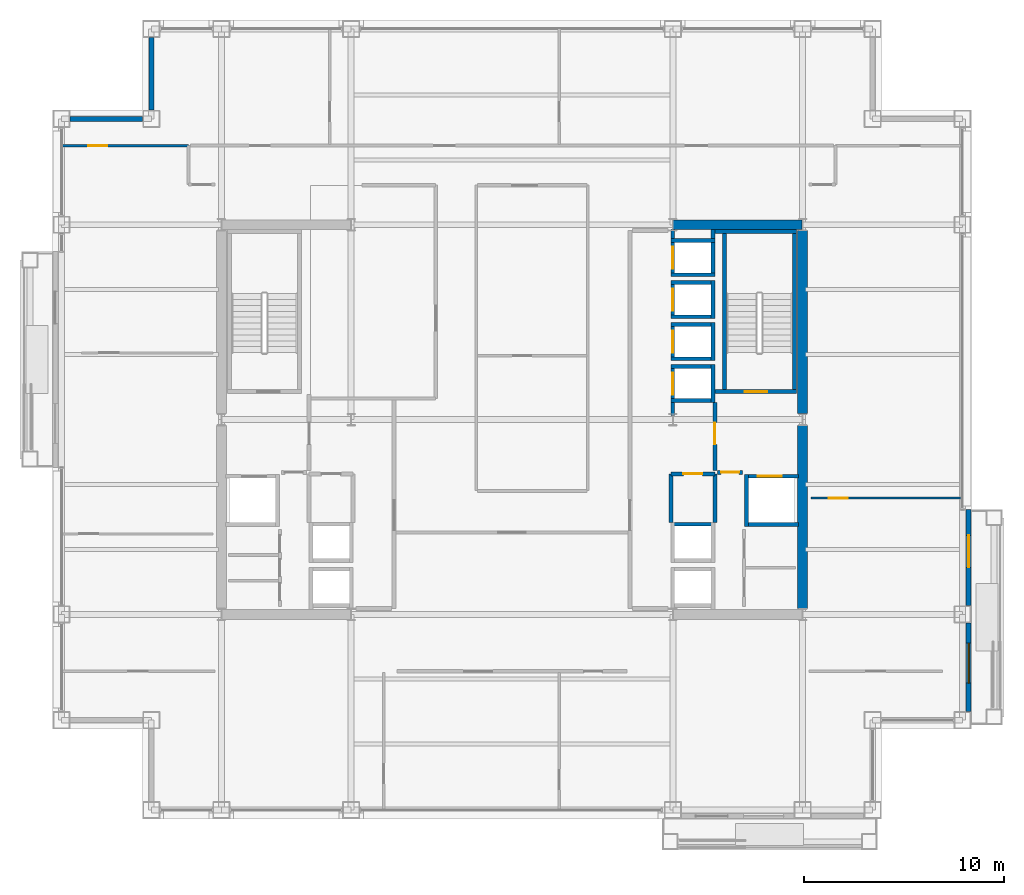
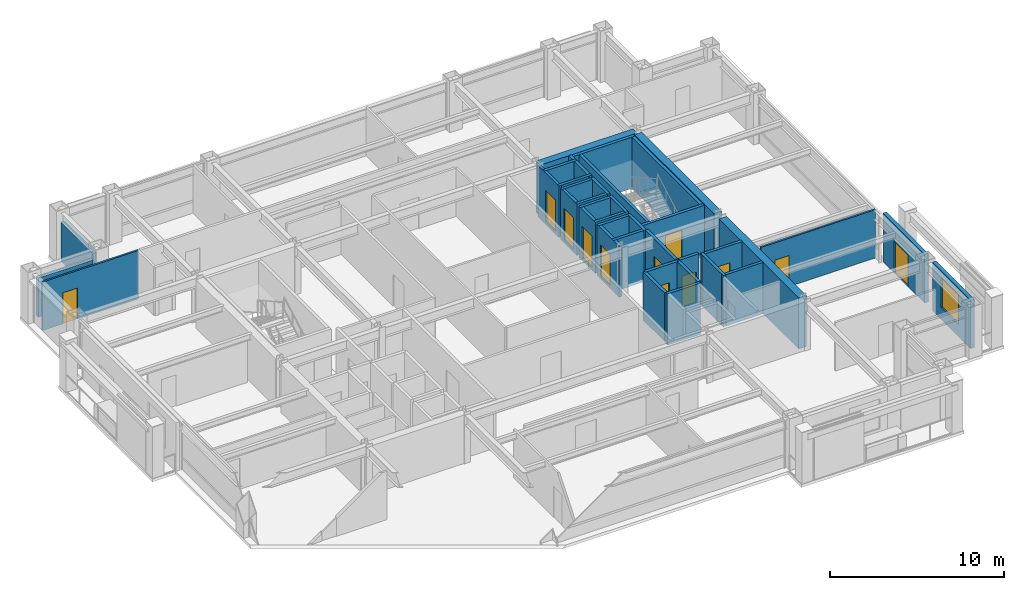
# One storey, part 27 of 31: 38 walls, 12 doors, 1 window, 13 openings.
"""IFC4 building model written with IfcOpenShell, lengths in metres."""

from ifc_helpers import new_model, si_unit, direction, frame, frame_2d, origin, place, context, subcontext, project, spatial, rectangle, extrude, material, layer, layer_set, type_object, element, fill, save


model = new_model("IFC4")

# Units and contexts
model_context = context("Model", 3, precision=1e-05, world=origin(), true_north=direction((0.0, 1.0)))
body_context = subcontext(model_context, "Body", "Model", "MODEL_VIEW")
ifc_project = project(units=[si_unit("LENGTHUNIT", "METRE"), si_unit("AREAUNIT", "SQUARE_METRE"), si_unit("VOLUMEUNIT", "CUBIC_METRE"), si_unit("PLANEANGLEUNIT", "RADIAN"), si_unit("MASSUNIT", "GRAM", prefix="KILO")], contexts=[model_context])

# Site, building, storey
site_placement = place(None, origin())
site = spatial("IfcSite", under=ifc_project, at=site_placement, CompositionType="ELEMENT")
building_placement = place(site_placement, origin())
building = spatial("IfcBuilding", under=site, at=building_placement, Name="Brelmoor Portico Tower", CompositionType="ELEMENT")
storey_placement = place(building_placement, frame((0.0, 0.0, 113.39990234375)))
storey = spatial("IfcBuildingStorey", under=building, at=storey_placement, Name="L29", CompositionType="ELEMENT", Elevation=113.39990234375)

# Walls
ifc_material_1 = material(Name="Concrete C60", Category="concrete")
ifc_layer_1 = layer(ifc_material_1, 0.5)
ifc_layer_set_1 = layer_set([ifc_layer_1], Name="Concrete C60")
wall_type_1 = type_object("IfcWallType", Name="WL-CORE-500", PredefinedType="SHEAR", material=ifc_layer_set_1)
wall_1_placement = place(storey_placement, frame((8.070068359375, 9.75, -0.199951171875), z_axis=(0.0, 0.0, 1.0), x_axis=(1.0, 0.0, 0.0)))
element("IfcWall", 1, at=wall_1_placement, inside=storey, type_object=wall_type_1, Name="L29 EC North Shear Wall", PredefinedType="SHEAR", context=body_context, shape_type="SweptSolid", body=[
    extrude(rectangle(XDim=6.4599609375, YDim=0.5, at=frame_2d((3.22998046875, 0.0))), origin(), (0.0, 0.0, 1.0), 3.60009765625),
])
for number, where, z_axis, x_axis, name in (
    (2, (14.550048828125, -9.449951171875, -0.199951171875), (0.0, 0.0, 1.0), (0.0, 1.0, 0.0), "L29 EC Outer South Shear Wall"),
    (3, (14.550048828125, 0.300048828125, -0.199951171875), (0.0, 0.0, 1.0), (0.0, 1.0, 0.0), "L29 EC Outer North Shear Wall"),
):
    element("IfcWall", number, at=place(storey_placement, frame(where, z_axis=z_axis, x_axis=x_axis)), inside=storey, type_object=wall_type_1, Name=name, PredefinedType="SHEAR", context=body_context, shape_type="SweptSolid", body=[
        extrude(rectangle(XDim=9.14990234375, YDim=0.5, at=frame_2d((4.574951171875, 0.0))), origin(), (0.0, 0.0, 1.0), 3.60009765625),
    ])

# Wall, opening, window
ifc_material_2 = material(Name="Precast Concrete C40 Insulated Facade Wall", Category="concrete")
ifc_layer_2 = layer(ifc_material_2, 0.25)
ifc_layer_set_2 = layer_set([ifc_layer_2], Name="Precast Concrete C40 Insulated Facade Wall")
wall_type_2 = type_object("IfcWallType", Name="WL-EXT-250", PredefinedType="STANDARD", material=ifc_layer_set_2)
wall_2_placement = place(storey_placement, frame((22.860107421875, -14.60498046875, 0.0), z_axis=(0.0, 0.0, 1.0), x_axis=(0.0, 1.0, 0.0)))
wall_2 = element("IfcWall", 4, at=wall_2_placement, inside=storey, type_object=wall_type_2, Name="L29 Loggia Threshold Wall E-1", PredefinedType="STANDARD", context=body_context, shape_type="SweptSolid", body=[
    extrude(rectangle(XDim=4.409912109375, YDim=0.25, at=frame_2d((2.205078125, 0.0))), origin(), (0.0, 0.0, 1.0), 3.400146484375),
])
opening_1_placement = place(wall_2_placement, frame((1.405029296875, 0.0, 0.85009765625)))
opening_1 = element("IfcOpeningElement", 5, at=opening_1_placement, cuts=wall_2, Name="Opening W-03", PredefinedType="OPENING", context=body_context, shape_type="SweptSolid", body=[
    extrude(rectangle(XDim=2.0, YDim=2.10009765625, at=frame_2d((1.0, 1.050048828125))), frame((0.0, 0.135009765625, 0.0), z_axis=(0.0, -1.0, 0.0), x_axis=(1.0, 0.0, 0.0)), (0.0, 0.0, 1.0), 0.27001953125),
])
ifc_material_3 = material(Name="Thermally Broken Aluminium Low-E Window", Category="aluminium")
window_type = type_object("IfcWindowType", Name="WN-LOGGIA-2000x2100", PartitioningType="SINGLE_PANEL", PredefinedType="WINDOW", material=ifc_material_3)
window_placement = place(opening_1_placement, origin())
window = element("IfcWindow", 6, at=window_placement, inside=storey, type_object=window_type, Name="L29 Loggia Window E", OverallHeight=2.10009765625, OverallWidth=2.0, PartitioningType="SINGLE_PANEL", PredefinedType="WINDOW", context=body_context, shape_type="SweptSolid", body=[
    extrude(rectangle(XDim=2.0, YDim=2.10009765625, at=frame_2d((1.0, 1.050048828125))), frame((0.0, 0.030029296875, 0.0), z_axis=(0.0, -1.0, 0.0), x_axis=(1.0, 0.0, 0.0)), (0.0, 0.0, 1.0), 0.06005859375),
])
fill(opening_1, window)

# Wall, opening, door
wall_3_placement = place(storey_placement, frame((22.860107421875, -9.304931640625, 0.0), z_axis=(0.0, 0.0, 1.0), x_axis=(0.0, 1.0, 0.0)))
wall_3 = element("IfcWall", 7, at=wall_3_placement, inside=storey, type_object=wall_type_2, Name="L29 Loggia Threshold Wall E-2", PredefinedType="STANDARD", context=body_context, shape_type="SweptSolid", body=[
    extrude(rectangle(XDim=4.804931640625, YDim=0.25, at=frame_2d((2.40234375, 0.0))), origin(), (0.0, 0.0, 1.0), 3.400146484375),
])
opening_2_placement = place(wall_3_placement, frame((1.905029296875, 0.0, 0.0)))
opening_2 = element("IfcOpeningElement", 8, at=opening_2_placement, cuts=wall_3, Name="Opening D-TB1", PredefinedType="OPENING", context=body_context, shape_type="SweptSolid", body=[
    extrude(rectangle(XDim=1.60009765625, YDim=2.199951171875, at=frame_2d((0.800048828125, 1.10009765625))), frame((0.0, 0.135009765625, 0.0), z_axis=(0.0, -1.0, 0.0), x_axis=(1.0, 0.0, 0.0)), (0.0, 0.0, 1.0), 0.27001953125),
])
ifc_material_4 = material(Name="Double-Leaf Thermally Broken Terrace Door", Category="aluminium")
door_type_1 = type_object("IfcDoorType", Name="DR-BALCONY-1600", OperationType="NOTDEFINED", PredefinedType="DOOR", material=ifc_material_4)
door_1_placement = place(opening_2_placement, origin())
door_1 = element("IfcDoor", 9, at=door_1_placement, inside=storey, type_object=door_type_1, Name="D-1296 L29 Tree Balcony Double Door E", OperationType="DOUBLE_DOOR_SINGLE_SWING", OverallHeight=2.199951171875, OverallWidth=1.60009765625, PredefinedType="DOOR", context=body_context, shape_type="SweptSolid", body=[
    extrude(rectangle(XDim=1.60009765625, YDim=2.199951171875, at=frame_2d((0.800048828125, 1.10009765625))), frame((0.0, 0.02490234375, 0.0), z_axis=(0.0, -1.0, 0.0), x_axis=(1.0, 0.0, 0.0)), (0.0, 0.0, 1.0), 0.050048828125),
])
fill(opening_2, door_1)

# Walls
for number, where, z_axis, x_axis, name in (
    (10, (-22.114990234375, 15.050048828125, 0.0), (0.0, 0.0, 1.0), (1.0, 0.0, 0.0), "L29 Corner Notch Facade Wall NNWH1"),
    (11, (-18.050048828125, 15.485107421875, 0.0), (0.0, 0.0, 1.0), (0.0, 1.0, 0.0), "L29 Corner Notch Facade Wall NNWV1"),
):
    element("IfcWall", number, at=place(storey_placement, frame(where, z_axis=z_axis, x_axis=x_axis)), inside=storey, type_object=wall_type_2, Name=name, PredefinedType="STANDARD", context=body_context, shape_type="SweptSolid", body=[
        extrude(rectangle(XDim=3.6298828125, YDim=0.25, at=frame_2d((1.81494140625, 0.0))), origin(), (0.0, 0.0, 1.0), 2.75),
    ])

# Wall, opening, door
ifc_material_5 = material(Name="Lightweight Gypsum Office Partition", Category="gypsum")
ifc_layer_3 = layer(ifc_material_5, 0.1201171875)
ifc_layer_set_3 = layer_set([ifc_layer_3], Name="Lightweight Gypsum Office Partition")
wall_type_3 = type_object("IfcWallType", Name="WL-PART-120", PredefinedType="PARTITIONING", material=ifc_layer_set_3)
wall_4_placement = place(storey_placement, frame((-22.56005859375, 13.7099609375, 0.0), z_axis=(0.0, 0.0, 1.0), x_axis=(1.0, 0.0, 0.0)))
wall_4 = element("IfcWall", 12, at=wall_4_placement, inside=storey, type_object=wall_type_3, Name="L29 North Wing Closure WL", PredefinedType="PARTITIONING", context=body_context, shape_type="SweptSolid", body=[
    extrude(rectangle(XDim=6.360107421875, YDim=0.1201171875, at=frame_2d((3.18017578125, 0.0))), origin(), (0.0, 0.0, 1.0), 3.400146484375),
])
opening_3_placement = place(wall_4_placement, frame((1.340087890625, 0.0, 0.0)))
opening_3 = element("IfcOpeningElement", 13, at=opening_3_placement, cuts=wall_4, Name="Opening D-IN2", PredefinedType="OPENING", context=body_context, shape_type="SweptSolid", body=[
    extrude(rectangle(XDim=0.9599609375, YDim=2.179931640625, at=frame_2d((0.47998046875, 1.08984375))), frame((0.0, 0.070068359375, 0.0), z_axis=(0.0, -1.0, 0.0), x_axis=(1.0, 0.0, 0.0)), (0.0, 0.0, 1.0), 0.14013671875),
])
ifc_material_6 = material(Name="Lacquered Timber Suite Door", Category="wood")
door_type_2 = type_object("IfcDoorType", Name="DR-INT-950", OperationType="NOTDEFINED", PredefinedType="DOOR", material=ifc_material_6)
door_2_placement = place(opening_3_placement, origin())
door_2 = element("IfcDoor", 14, at=door_2_placement, inside=storey, type_object=door_type_2, Name="D-1286 L29 WL Wing North Suite Door", OperationType="SINGLE_SWING_LEFT", OverallHeight=2.179931640625, OverallWidth=0.9599609375, PredefinedType="DOOR", context=body_context, shape_type="SweptSolid", body=[
    extrude(rectangle(XDim=0.9599609375, YDim=2.179931640625, at=frame_2d((0.47998046875, 1.08984375))), frame((0.0, 0.02490234375, 0.0), z_axis=(0.0, -1.0, 0.0), x_axis=(1.0, 0.0, 0.0)), (0.0, 0.0, 1.0), 0.050048828125),
])
fill(opening_3, door_2)

wall_5_placement = place(storey_placement, frame((14.9599609375, -3.929931640625, 0.0), z_axis=(0.0, 0.0, 1.0), x_axis=(1.0, 0.0, 0.0)))
wall_5 = element("IfcWall", 15, at=wall_5_placement, inside=storey, type_object=wall_type_3, Name="L29 E Wing Partition 1", PredefinedType="PARTITIONING", context=body_context, shape_type="SweptSolid", body=[
    extrude(rectangle(XDim=7.60009765625, YDim=0.1201171875, at=frame_2d((3.800048828125, 0.0))), origin(), (0.0, 0.0, 1.0), 3.400146484375),
])
opening_4_placement = place(wall_5_placement, frame((0.89990234375, 0.0, 0.0)))
opening_4 = element("IfcOpeningElement", 16, at=opening_4_placement, cuts=wall_5, Name="Opening D-IN2", PredefinedType="OPENING", context=body_context, shape_type="SweptSolid", body=[
    extrude(rectangle(XDim=0.9599609375, YDim=2.179931640625, at=frame_2d((0.47998046875, 1.08984375))), frame((0.0, 0.070068359375, 0.0), z_axis=(0.0, -1.0, 0.0), x_axis=(1.0, 0.0, 0.0)), (0.0, 0.0, 1.0), 0.14013671875),
])
door_3_placement = place(opening_4_placement, origin())
door_3 = element("IfcDoor", 17, at=door_3_placement, inside=storey, type_object=door_type_2, Name="D-1299 L29 E Wing Suite Connecting Door 1", OperationType="SINGLE_SWING_RIGHT", OverallHeight=2.179931640625, OverallWidth=0.9599609375, PredefinedType="DOOR", context=body_context, shape_type="SweptSolid", body=[
    extrude(rectangle(XDim=0.9599609375, YDim=2.179931640625, at=frame_2d((0.47998046875, 1.08984375))), frame((0.0, 0.02490234375, 0.0), z_axis=(0.0, -1.0, 0.0), x_axis=(1.0, 0.0, 0.0)), (0.0, 0.0, 1.0), 0.050048828125),
])
fill(opening_4, door_3)

ifc_material_7 = material(Name="Double-Stud Gypsum Fire Partition", Category="gypsum")
ifc_layer_4 = layer(ifc_material_7, 0.199951171875)
ifc_layer_set_4 = layer_set([ifc_layer_4], Name="Double-Stud Gypsum Fire Partition")
wall_type_4 = type_object("IfcWallType", Name="WL-PART-200", PredefinedType="PARTITIONING", material=ifc_layer_set_4)
wall_6_placement = place(storey_placement, frame((10.159912109375, -2.550048828125, 0.0), z_axis=(0.0, 0.0, 1.0), x_axis=(0.0, 1.0, 0.0)))
wall_6 = element("IfcWall", 18, at=wall_6_placement, inside=storey, type_object=wall_type_4, Name="L29 E Firefighting Lobby Wall", PredefinedType="PARTITIONING", context=body_context, shape_type="SweptSolid", body=[
    extrude(rectangle(XDim=3.400146484375, YDim=0.199951171875, at=frame_2d((1.7001953125, 0.0))), origin(), (0.0, 0.0, 1.0), 3.400146484375),
])
opening_5_placement = place(wall_6_placement, frame((1.300048828125, 0.0, 0.0)))
opening_5 = element("IfcOpeningElement", 19, at=opening_5_placement, cuts=wall_6, Name="Opening D-FR1", PredefinedType="OPENING", context=body_context, shape_type="SweptSolid", body=[
    extrude(rectangle(XDim=1.10009765625, YDim=2.14990234375, at=frame_2d((0.550048828125, 1.074951171875))), frame((0.0, 0.10986328125, 0.0), z_axis=(0.0, -1.0, 0.0), x_axis=(1.0, 0.0, 0.0)), (0.0, 0.0, 1.0), 0.219970703125),
])
ifc_material_8 = material(Name="Painted Galvanised Steel Fire Door", Category="steel")
door_type_3 = type_object("IfcDoorType", Name="DR-FIRE-1100", OperationType="NOTDEFINED", PredefinedType="DOOR", material=ifc_material_8)
door_4_placement = place(opening_5_placement, origin())
door_4 = element("IfcDoor", 20, at=door_4_placement, inside=storey, type_object=door_type_3, Name="D-1276 L29 E Firefighting Lobby Door", OperationType="SINGLE_SWING_RIGHT", OverallHeight=2.14990234375, OverallWidth=1.10009765625, PredefinedType="DOOR", context=body_context, shape_type="SweptSolid", body=[
    extrude(rectangle(XDim=1.10009765625, YDim=2.14990234375, at=frame_2d((0.550048828125, 1.074951171875))), frame((0.0, 0.02490234375, 0.0), z_axis=(0.0, -1.0, 0.0), x_axis=(1.0, 0.0, 0.0)), (0.0, 0.0, 1.0), 0.050048828125),
])
fill(opening_5, door_4)

wall_7_placement = place(storey_placement, frame((10.280029296875, -2.64990234375, 0.0), z_axis=(0.0, 0.0, 1.0), x_axis=(1.0, 0.0, 0.0)))
wall_7 = element("IfcWall", 21, at=wall_7_placement, inside=storey, type_object=wall_type_4, Name="L29 E Firefighting Lobby South Wall", PredefinedType="PARTITIONING", context=body_context, shape_type="SweptSolid", body=[
    extrude(rectangle(XDim=1.27001953125, YDim=0.199951171875, at=frame_2d((0.635009765625, 0.0))), origin(), (0.0, 0.0, 1.0), 3.400146484375),
])
opening_6_placement = place(wall_7_placement, frame((0.18505859375, 0.0, 0.0)))
opening_6 = element("IfcOpeningElement", 22, at=opening_6_placement, cuts=wall_7, Name="Opening D-IN1", PredefinedType="OPENING", context=body_context, shape_type="SweptSolid", body=[
    extrude(rectangle(XDim=0.89990234375, YDim=2.14990234375, at=frame_2d((0.449951171875, 1.074951171875))), frame((0.0, 0.10986328125, 0.0), z_axis=(0.0, -1.0, 0.0), x_axis=(1.0, 0.0, 0.0)), (0.0, 0.0, 1.0), 0.219970703125),
])
door_type_4 = type_object("IfcDoorType", Name="DR-INT-900", OperationType="NOTDEFINED", PredefinedType="DOOR", material=ifc_material_6)
door_5_placement = place(opening_6_placement, origin())
door_5 = element("IfcDoor", 23, at=door_5_placement, inside=storey, type_object=door_type_4, Name="D-1269 L29 E Core Service Vestibule Door", OperationType="SINGLE_SWING_LEFT", OverallHeight=2.14990234375, OverallWidth=0.89990234375, PredefinedType="DOOR", context=body_context, shape_type="SweptSolid", body=[
    extrude(rectangle(XDim=0.89990234375, YDim=2.14990234375, at=frame_2d((0.449951171875, 1.074951171875))), frame((0.0, 0.02490234375, 0.0), z_axis=(0.0, -1.0, 0.0), x_axis=(1.0, 0.0, 0.0)), (0.0, 0.0, 1.0), 0.050048828125),
])
fill(opening_6, door_5)

wall_8_placement = place(storey_placement, frame((7.9599609375, -2.719970703125, 0.0), z_axis=(0.0, 0.0, 1.0), x_axis=(1.0, 0.0, 0.0)))
wall_8 = element("IfcWall", 24, at=wall_8_placement, inside=storey, type_object=wall_type_4, Name="L29 E Electrical Switchgear Closet Wall", PredefinedType="PARTITIONING", context=body_context, shape_type="SweptSolid", body=[
    extrude(rectangle(XDim=2.199951171875, YDim=0.199951171875, at=frame_2d((1.10009765625, 0.0))), origin(), (0.0, 0.0, 1.0), 3.400146484375),
])
opening_7_placement = place(wall_8_placement, frame((0.6201171875, 0.0, 0.0)))
opening_7 = element("IfcOpeningElement", 25, at=opening_7_placement, cuts=wall_8, Name="Opening D-FR4", PredefinedType="OPENING", context=body_context, shape_type="SweptSolid", body=[
    extrude(rectangle(XDim=0.949951171875, YDim=2.10009765625, at=frame_2d((0.47509765625, 1.050048828125))), frame((0.0, 0.10986328125, 0.0), z_axis=(0.0, -1.0, 0.0), x_axis=(1.0, 0.0, 0.0)), (0.0, 0.0, 1.0), 0.219970703125),
])
ifc_material_9 = material(Name="Painted Galvanised Steel Riser Door", Category="steel")
door_type_5 = type_object("IfcDoorType", Name="DR-FIRE-950", OperationType="NOTDEFINED", PredefinedType="DOOR", material=ifc_material_9)
door_6_placement = place(opening_7_placement, origin())
door_6 = element("IfcDoor", 26, at=door_6_placement, inside=storey, type_object=door_type_5, Name="D-1274 L29 E Electrical Switchgear Closet Door", OperationType="SINGLE_SWING_RIGHT", OverallHeight=2.10009765625, OverallWidth=0.949951171875, PredefinedType="DOOR", context=body_context, shape_type="SweptSolid", body=[
    extrude(rectangle(XDim=0.949951171875, YDim=2.10009765625, at=frame_2d((0.47509765625, 1.050048828125))), frame((0.0, 0.02490234375, 0.0), z_axis=(0.0, -1.0, 0.0), x_axis=(1.0, 0.0, 0.0)), (0.0, 0.0, 1.0), 0.050048828125),
])
fill(opening_7, door_6)

# Walls
for number, where, z_axis, x_axis, name in (
    (27, (7.9599609375, -5.159912109375, 0.0), (0.0, 0.0, 1.0), (0.0, 1.0, 0.0), "L29 E Electrical Switchgear Closet Inner Wall"),
    (28, (10.159912109375, -5.159912109375, 0.0), (0.0, 0.0, 1.0), (0.0, 1.0, 0.0), "L29 E Electrical Switchgear Closet Outer Wall"),
):
    element("IfcWall", number, at=place(storey_placement, frame(where, z_axis=z_axis, x_axis=x_axis)), inside=storey, type_object=wall_type_4, Name=name, PredefinedType="PARTITIONING", context=body_context, shape_type="SweptSolid", body=[
        extrude(rectangle(XDim=2.43994140625, YDim=0.199951171875, at=frame_2d((1.219970703125, 0.0))), origin(), (0.0, 0.0, 1.0), 3.400146484375),
    ])

# Wall, opening, door
ifc_material_10 = material(Name="Precast Concrete C40", Category="concrete")
ifc_layer_5 = layer(ifc_material_10, 0.18994140625)
ifc_layer_set_5 = layer_set([ifc_layer_5], Name="Precast Concrete C40")
wall_type_5 = type_object("IfcWallType", Name="WL-SHAFT-180", PredefinedType="SOLIDWALL", material=ifc_layer_set_5)
wall_9_placement = place(storey_placement, frame((8.044921875, 0.2099609375, -0.199951171875), z_axis=(0.0, 0.0, 1.0), x_axis=(0.0, 1.0, 0.0)))
wall_9 = element("IfcWall", 29, at=wall_9_placement, inside=storey, type_object=wall_type_5, Name="L29 Lift PM1 Hoistway Front Wall", PredefinedType="SOLIDWALL", context=body_context, shape_type="SweptSolid", body=[
    extrude(rectangle(XDim=2.5400390625, YDim=0.18994140625, at=frame_2d((1.27001953125, 0.0))), origin(), (0.0, 0.0, 1.0), 3.60009765625),
])
opening_8_placement = place(wall_9_placement, frame((1.0400390625, 0.0, 0.199951171875)))
opening_8 = element("IfcOpeningElement", 30, at=opening_8_placement, cuts=wall_9, Name="Opening LD-01", PredefinedType="OPENING", context=body_context, shape_type="SweptSolid", body=[
    extrude(rectangle(XDim=1.10009765625, YDim=2.199951171875, at=frame_2d((0.550048828125, 1.10009765625))), frame((0.0, 0.10498046875, 0.0), z_axis=(0.0, -1.0, 0.0), x_axis=(1.0, 0.0, 0.0)), (0.0, 0.0, 1.0), 0.2099609375),
])
ifc_material_11 = material(Name="Brushed Stainless Steel Sliding Lift Door", Category="steel")
door_type_6 = type_object("IfcDoorType", Name="DR-LIFT-1100", OperationType="NOTDEFINED", PredefinedType="DOOR", material=ifc_material_11)
door_7_placement = place(opening_8_placement, origin())
door_7 = element("IfcDoor", 31, at=door_7_placement, inside=storey, type_object=door_type_6, Name="D-1306 L29 Lift PM1 Sliding Landing Door", OperationType="SLIDING_TO_LEFT", OverallHeight=2.199951171875, OverallWidth=1.10009765625, PredefinedType="DOOR", context=body_context, shape_type="SweptSolid", body=[
    extrude(rectangle(XDim=1.10009765625, YDim=2.199951171875, at=frame_2d((0.550048828125, 1.10009765625))), frame((0.0, 0.02490234375, 0.0), z_axis=(0.0, -1.0, 0.0), x_axis=(1.0, 0.0, 0.0)), (0.0, 0.0, 1.0), 0.050048828125),
])
fill(opening_8, door_7)

# Walls
wall_10_placement = place(storey_placement, frame((10.054931640625, 0.85009765625, -0.199951171875), z_axis=(0.0, 0.0, 1.0), x_axis=(0.0, 1.0, 0.0)))
element("IfcWall", 32, at=wall_10_placement, inside=storey, type_object=wall_type_5, Name="L29 Lift PM1 Hoistway Back Wall", PredefinedType="SOLIDWALL", context=body_context, shape_type="SweptSolid", body=[
    extrude(rectangle(XDim=1.89990234375, YDim=0.18994140625, at=frame_2d((0.949951171875, 0.0))), origin(), (0.0, 0.0, 1.0), 3.60009765625),
])
for number, where, z_axis, x_axis, name in (
    (33, (7.949951171875, 2.655029296875, -0.199951171875), (0.0, 0.0, 1.0), (1.0, 0.0, 0.0), "L29 Lift PM1 Hoistway North Wall"),
    (34, (7.949951171875, 0.945068359375, -0.199951171875), (0.0, 0.0, 1.0), (1.0, 0.0, 0.0), "L29 Lift PM1 Hoistway South Wall"),
):
    element("IfcWall", number, at=place(storey_placement, frame(where, z_axis=z_axis, x_axis=x_axis)), inside=storey, type_object=wall_type_5, Name=name, PredefinedType="SOLIDWALL", context=body_context, shape_type="SweptSolid", body=[
        extrude(rectangle(XDim=2.199951171875, YDim=0.18994140625, at=frame_2d((1.10009765625, 0.0))), origin(), (0.0, 0.0, 1.0), 3.60009765625),
    ])

# Wall, opening, door
wall_11_placement = place(storey_placement, frame((8.044921875, 2.949951171875, -0.199951171875), z_axis=(0.0, 0.0, 1.0), x_axis=(0.0, 1.0, 0.0)))
wall_11 = element("IfcWall", 35, at=wall_11_placement, inside=storey, type_object=wall_type_5, Name="L29 Lift PM2 Hoistway Front Wall", PredefinedType="SOLIDWALL", context=body_context, shape_type="SweptSolid", body=[
    extrude(rectangle(XDim=1.900146484375, YDim=0.18994140625, at=frame_2d((0.9501953125, 0.0))), origin(), (0.0, 0.0, 1.0), 3.60009765625),
])
opening_9_placement = place(wall_11_placement, frame((0.39990234375, 0.0, 0.199951171875)))
opening_9 = element("IfcOpeningElement", 36, at=opening_9_placement, cuts=wall_11, Name="Opening LD-01", PredefinedType="OPENING", context=body_context, shape_type="SweptSolid", body=[
    extrude(rectangle(XDim=1.10009765625, YDim=2.199951171875, at=frame_2d((0.550048828125, 1.10009765625))), frame((0.0, 0.10498046875, 0.0), z_axis=(0.0, -1.0, 0.0), x_axis=(1.0, 0.0, 0.0)), (0.0, 0.0, 1.0), 0.2099609375),
])
door_8_placement = place(opening_9_placement, origin())
door_8 = element("IfcDoor", 37, at=door_8_placement, inside=storey, type_object=door_type_6, Name="D-1307 L29 Lift PM2 Sliding Landing Door", OperationType="SLIDING_TO_LEFT", OverallHeight=2.199951171875, OverallWidth=1.10009765625, PredefinedType="DOOR", context=body_context, shape_type="SweptSolid", body=[
    extrude(rectangle(XDim=1.10009765625, YDim=2.199951171875, at=frame_2d((0.550048828125, 1.10009765625))), frame((0.0, 0.02490234375, 0.0), z_axis=(0.0, -1.0, 0.0), x_axis=(1.0, 0.0, 0.0)), (0.0, 0.0, 1.0), 0.050048828125),
])
fill(opening_9, door_8)

# Walls
wall_12_placement = place(storey_placement, frame((10.054931640625, 2.949951171875, -0.199951171875), z_axis=(0.0, 0.0, 1.0), x_axis=(0.0, 1.0, 0.0)))
element("IfcWall", 38, at=wall_12_placement, inside=storey, type_object=wall_type_5, Name="L29 Lift PM2 Hoistway Back Wall", PredefinedType="SOLIDWALL", context=body_context, shape_type="SweptSolid", body=[
    extrude(rectangle(XDim=1.900146484375, YDim=0.18994140625, at=frame_2d((0.9501953125, 0.0))), origin(), (0.0, 0.0, 1.0), 3.60009765625),
])
for number, where, z_axis, x_axis, name in (
    (39, (7.949951171875, 4.7548828125, -0.199951171875), (0.0, 0.0, 1.0), (1.0, 0.0, 0.0), "L29 Lift PM2 Hoistway North Wall"),
    (40, (7.949951171875, 3.044921875, -0.199951171875), (0.0, 0.0, 1.0), (1.0, 0.0, 0.0), "L29 Lift PM2 Hoistway South Wall"),
):
    element("IfcWall", number, at=place(storey_placement, frame(where, z_axis=z_axis, x_axis=x_axis)), inside=storey, type_object=wall_type_5, Name=name, PredefinedType="SOLIDWALL", context=body_context, shape_type="SweptSolid", body=[
        extrude(rectangle(XDim=2.199951171875, YDim=0.18994140625, at=frame_2d((1.10009765625, 0.0))), origin(), (0.0, 0.0, 1.0), 3.60009765625),
    ])

# Wall, opening, door
wall_13_placement = place(storey_placement, frame((8.044921875, 5.050048828125, -0.199951171875), z_axis=(0.0, 0.0, 1.0), x_axis=(0.0, 1.0, 0.0)))
wall_13 = element("IfcWall", 41, at=wall_13_placement, inside=storey, type_object=wall_type_5, Name="L29 Lift PM3 Hoistway Front Wall", PredefinedType="SOLIDWALL", context=body_context, shape_type="SweptSolid", body=[
    extrude(rectangle(XDim=1.89990234375, YDim=0.18994140625, at=frame_2d((0.949951171875, 0.0))), origin(), (0.0, 0.0, 1.0), 3.60009765625),
])
opening_10_placement = place(wall_13_placement, frame((0.39990234375, 0.0, 0.199951171875)))
opening_10 = element("IfcOpeningElement", 42, at=opening_10_placement, cuts=wall_13, Name="Opening LD-01", PredefinedType="OPENING", context=body_context, shape_type="SweptSolid", body=[
    extrude(rectangle(XDim=1.10009765625, YDim=2.199951171875, at=frame_2d((0.550048828125, 1.10009765625))), frame((0.0, 0.10498046875, 0.0), z_axis=(0.0, -1.0, 0.0), x_axis=(1.0, 0.0, 0.0)), (0.0, 0.0, 1.0), 0.2099609375),
])
door_9_placement = place(opening_10_placement, origin())
door_9 = element("IfcDoor", 43, at=door_9_placement, inside=storey, type_object=door_type_6, Name="D-1308 L29 Lift PM3 Sliding Landing Door", OperationType="SLIDING_TO_LEFT", OverallHeight=2.199951171875, OverallWidth=1.10009765625, PredefinedType="DOOR", context=body_context, shape_type="SweptSolid", body=[
    extrude(rectangle(XDim=1.10009765625, YDim=2.199951171875, at=frame_2d((0.550048828125, 1.10009765625))), frame((0.0, 0.02490234375, 0.0), z_axis=(0.0, -1.0, 0.0), x_axis=(1.0, 0.0, 0.0)), (0.0, 0.0, 1.0), 0.050048828125),
])
fill(opening_10, door_9)

# Walls
wall_14_placement = place(storey_placement, frame((10.054931640625, 5.050048828125, -0.199951171875), z_axis=(0.0, 0.0, 1.0), x_axis=(0.0, 1.0, 0.0)))
element("IfcWall", 44, at=wall_14_placement, inside=storey, type_object=wall_type_5, Name="L29 Lift PM3 Hoistway Back Wall", PredefinedType="SOLIDWALL", context=body_context, shape_type="SweptSolid", body=[
    extrude(rectangle(XDim=1.89990234375, YDim=0.18994140625, at=frame_2d((0.949951171875, 0.0))), origin(), (0.0, 0.0, 1.0), 3.60009765625),
])
for number, where, z_axis, x_axis, name in (
    (45, (7.949951171875, 6.85498046875, -0.199951171875), (0.0, 0.0, 1.0), (1.0, 0.0, 0.0), "L29 Lift PM3 Hoistway North Wall"),
    (46, (7.949951171875, 5.14501953125, -0.199951171875), (0.0, 0.0, 1.0), (1.0, 0.0, 0.0), "L29 Lift PM3 Hoistway South Wall"),
):
    element("IfcWall", number, at=place(storey_placement, frame(where, z_axis=z_axis, x_axis=x_axis)), inside=storey, type_object=wall_type_5, Name=name, PredefinedType="SOLIDWALL", context=body_context, shape_type="SweptSolid", body=[
        extrude(rectangle(XDim=2.199951171875, YDim=0.18994140625, at=frame_2d((1.10009765625, 0.0))), origin(), (0.0, 0.0, 1.0), 3.60009765625),
    ])

# Wall, opening, door
wall_15_placement = place(storey_placement, frame((8.044921875, 7.14990234375, -0.199951171875), z_axis=(0.0, 0.0, 1.0), x_axis=(0.0, 1.0, 0.0)))
wall_15 = element("IfcWall", 47, at=wall_15_placement, inside=storey, type_object=wall_type_5, Name="L29 Lift PM4 Hoistway Front Wall", PredefinedType="SOLIDWALL", context=body_context, shape_type="SweptSolid", body=[
    extrude(rectangle(XDim=2.3701171875, YDim=0.18994140625, at=frame_2d((1.18505859375, 0.0))), origin(), (0.0, 0.0, 1.0), 3.60009765625),
])
opening_11_placement = place(wall_15_placement, frame((0.39990234375, 0.0, 0.199951171875)))
opening_11 = element("IfcOpeningElement", 48, at=opening_11_placement, cuts=wall_15, Name="Opening LD-01", PredefinedType="OPENING", context=body_context, shape_type="SweptSolid", body=[
    extrude(rectangle(XDim=1.10009765625, YDim=2.199951171875, at=frame_2d((0.550048828125, 1.10009765625))), frame((0.0, 0.10498046875, 0.0), z_axis=(0.0, -1.0, 0.0), x_axis=(1.0, 0.0, 0.0)), (0.0, 0.0, 1.0), 0.2099609375),
])
door_10_placement = place(opening_11_placement, origin())
door_10 = element("IfcDoor", 49, at=door_10_placement, inside=storey, type_object=door_type_6, Name="D-1309 L29 Lift PM4 Sliding Landing Door", OperationType="SLIDING_TO_LEFT", OverallHeight=2.199951171875, OverallWidth=1.10009765625, PredefinedType="DOOR", context=body_context, shape_type="SweptSolid", body=[
    extrude(rectangle(XDim=1.10009765625, YDim=2.199951171875, at=frame_2d((0.550048828125, 1.10009765625))), frame((0.0, 0.02490234375, 0.0), z_axis=(0.0, -1.0, 0.0), x_axis=(1.0, 0.0, 0.0)), (0.0, 0.0, 1.0), 0.050048828125),
])
fill(opening_11, door_10)

# Walls
wall_16_placement = place(storey_placement, frame((10.054931640625, 7.14990234375, -0.199951171875), z_axis=(0.0, 0.0, 1.0), x_axis=(0.0, 1.0, 0.0)))
element("IfcWall", 50, at=wall_16_placement, inside=storey, type_object=wall_type_5, Name="L29 Lift PM4 Hoistway Back Wall", PredefinedType="SOLIDWALL", context=body_context, shape_type="SweptSolid", body=[
    extrude(rectangle(XDim=2.3701171875, YDim=0.18994140625, at=frame_2d((1.18505859375, 0.0))), origin(), (0.0, 0.0, 1.0), 3.60009765625),
])
for number, where, z_axis, x_axis, name in (
    (51, (7.949951171875, 8.955078125, -0.199951171875), (0.0, 0.0, 1.0), (1.0, 0.0, 0.0), "L29 Lift PM4 Hoistway North Wall"),
    (52, (7.949951171875, 7.2451171875, -0.199951171875), (0.0, 0.0, 1.0), (1.0, 0.0, 0.0), "L29 Lift PM4 Hoistway South Wall"),
    (53, (7.949951171875, -5.2451171875, -0.199951171875), (0.0, 0.0, 1.0), (1.0, 0.0, 0.0), "L29 Lift PH4 Hoistway North Wall"),
):
    element("IfcWall", number, at=place(storey_placement, frame(where, z_axis=z_axis, x_axis=x_axis)), inside=storey, type_object=wall_type_5, Name=name, PredefinedType="SOLIDWALL", context=body_context, shape_type="SweptSolid", body=[
        extrude(rectangle(XDim=2.199951171875, YDim=0.18994140625, at=frame_2d((1.10009765625, 0.0))), origin(), (0.0, 0.0, 1.0), 3.60009765625),
    ])

# Wall, opening, door
wall_17_placement = place(storey_placement, frame((11.64990234375, -2.844970703125, -0.199951171875), z_axis=(0.0, 0.0, 1.0), x_axis=(1.0, 0.0, 0.0)))
wall_17 = element("IfcWall", 54, at=wall_17_placement, inside=storey, type_object=wall_type_5, Name="L29 Lift FF2 Hoistway Front Wall", PredefinedType="SOLIDWALL", context=body_context, shape_type="SweptSolid", body=[
    extrude(rectangle(XDim=2.68017578125, YDim=0.18994140625, at=frame_2d((1.340087890625, 0.0))), origin(), (0.0, 0.0, 1.0), 3.60009765625),
])
opening_12_placement = place(wall_17_placement, frame((0.64990234375, 0.0, 0.199951171875)))
opening_12 = element("IfcOpeningElement", 55, at=opening_12_placement, cuts=wall_17, Name="Opening LD-02", PredefinedType="OPENING", context=body_context, shape_type="SweptSolid", body=[
    extrude(rectangle(XDim=1.199951171875, YDim=2.199951171875, at=frame_2d((0.60009765625, 1.10009765625))), frame((0.0, 0.10498046875, 0.0), z_axis=(0.0, -1.0, 0.0), x_axis=(1.0, 0.0, 0.0)), (0.0, 0.0, 1.0), 0.2099609375),
])
ifc_material_12 = material(Name="Brushed Stainless Steel Firefighting Lift Door", Category="steel")
door_type_7 = type_object("IfcDoorType", Name="DR-LIFT-1200", OperationType="NOTDEFINED", PredefinedType="DOOR", material=ifc_material_12)
door_11_placement = place(opening_12_placement, origin())
door_11 = element("IfcDoor", 56, at=door_11_placement, inside=storey, type_object=door_type_7, Name="D-1305 L29 Lift FF2 Sliding Landing Door", OperationType="SLIDING_TO_LEFT", OverallHeight=2.199951171875, OverallWidth=1.199951171875, PredefinedType="DOOR", context=body_context, shape_type="SweptSolid", body=[
    extrude(rectangle(XDim=1.199951171875, YDim=2.199951171875, at=frame_2d((0.60009765625, 1.10009765625))), frame((0.0, 0.02490234375, 0.0), z_axis=(0.0, -1.0, 0.0), x_axis=(1.0, 0.0, 0.0)), (0.0, 0.0, 1.0), 0.050048828125),
])
fill(opening_12, door_11)

# Walls
wall_18_placement = place(storey_placement, frame((11.64990234375, -5.2548828125, -0.199951171875), z_axis=(0.0, 0.0, 1.0), x_axis=(1.0, 0.0, 0.0)))
element("IfcWall", 57, at=wall_18_placement, inside=storey, type_object=wall_type_5, Name="L29 Firefighting Lift FF2 South Wall", PredefinedType="SOLIDWALL", context=body_context, shape_type="SweptSolid", body=[
    extrude(rectangle(XDim=2.68017578125, YDim=0.18994140625, at=frame_2d((1.340087890625, 0.0))), origin(), (0.0, 0.0, 1.0), 3.60009765625),
])
wall_19_placement = place(storey_placement, frame((11.7451171875, -5.35009765625, -0.199951171875), z_axis=(0.0, 0.0, 1.0), x_axis=(0.0, 1.0, 0.0)))
element("IfcWall", 58, at=wall_19_placement, inside=storey, type_object=wall_type_5, Name="L29 Firefighting Lift FF2 Inner Wall", PredefinedType="SOLIDWALL", context=body_context, shape_type="SweptSolid", body=[
    extrude(rectangle(XDim=2.60009765625, YDim=0.18994140625, at=frame_2d((1.300048828125, 0.0))), origin(), (0.0, 0.0, 1.0), 3.60009765625),
])
ifc_material_13 = material(Name="Concrete C40", Category="concrete")
ifc_layer_6 = layer(ifc_material_13, 0.199951171875)
ifc_layer_set_6 = layer_set([ifc_layer_6], Name="Concrete C40")
wall_type_6 = type_object("IfcWallType", Name="WL-SHAFT-RC200", PredefinedType="SOLIDWALL", material=ifc_layer_set_6)
wall_20_placement = place(storey_placement, frame((14.14990234375, 1.5, -0.199951171875), z_axis=(0.0, 0.0, 1.0), x_axis=(0.0, 1.0, 0.0)))
element("IfcWall", 59, at=wall_20_placement, inside=storey, type_object=wall_type_6, Name="L29 ST-E Structural Stair Wall Outer", PredefinedType="SOLIDWALL", context=body_context, shape_type="SweptSolid", body=[
    extrude(rectangle(XDim=7.800048828125, YDim=0.199951171875, at=frame_2d((3.89990234375, 0.0))), origin(), (0.0, 0.0, 1.0), 3.60009765625),
])

# Wall, opening, door
wall_21_placement = place(storey_placement, frame((10.14990234375, 1.39990234375, -0.199951171875), z_axis=(0.0, 0.0, 1.0), x_axis=(1.0, 0.0, 0.0)))
wall_21 = element("IfcWall", 60, at=wall_21_placement, inside=storey, type_object=wall_type_6, Name="L29 ST-E Structural Stair Wall S", PredefinedType="SOLIDWALL", context=body_context, shape_type="SweptSolid", body=[
    extrude(rectangle(XDim=4.10009765625, YDim=0.199951171875, at=frame_2d((2.050048828125, 0.0))), origin(), (0.0, 0.0, 1.0), 3.60009765625),
])
opening_13_placement = place(wall_21_placement, frame((1.5, 0.0, 0.199951171875)))
opening_13 = element("IfcOpeningElement", 61, at=opening_13_placement, cuts=wall_21, Name="Opening D-ST1", PredefinedType="OPENING", context=body_context, shape_type="SweptSolid", body=[
    extrude(rectangle(XDim=1.1201171875, YDim=2.179931640625, at=frame_2d((0.56005859375, 1.08984375))), frame((0.0, 0.10986328125, 0.0), z_axis=(0.0, -1.0, 0.0), x_axis=(1.0, 0.0, 0.0)), (0.0, 0.0, 1.0), 0.219970703125),
])
door_type_8 = type_object("IfcDoorType", Name="DR-STAIR-1100", OperationType="NOTDEFINED", PredefinedType="DOOR", material=ifc_material_8)
door_12_placement = place(opening_13_placement, origin())
door_12 = element("IfcDoor", 62, at=door_12_placement, inside=storey, type_object=door_type_8, Name="D-1292 L29 ST-E Protected Exit Stair Door", OperationType="SINGLE_SWING_RIGHT", OverallHeight=2.179931640625, OverallWidth=1.1201171875, PredefinedType="DOOR", context=body_context, shape_type="SweptSolid", body=[
    extrude(rectangle(XDim=1.1201171875, YDim=2.179931640625, at=frame_2d((0.56005859375, 1.08984375))), frame((0.0, 0.02490234375, 0.0), z_axis=(0.0, -1.0, 0.0), x_axis=(1.0, 0.0, 0.0)), (0.0, 0.0, 1.0), 0.050048828125),
])
fill(opening_13, door_12)

# Walls
wall_22_placement = place(storey_placement, frame((10.14990234375, 9.39990234375, -0.199951171875), z_axis=(0.0, 0.0, 1.0), x_axis=(1.0, 0.0, 0.0)))
element("IfcWall", 63, at=wall_22_placement, inside=storey, type_object=wall_type_6, Name="L29 ST-E Structural Stair Wall N", PredefinedType="SOLIDWALL", context=body_context, shape_type="SweptSolid", body=[
    extrude(rectangle(XDim=4.10009765625, YDim=0.199951171875, at=frame_2d((2.050048828125, 0.0))), origin(), (0.0, 0.0, 1.0), 3.60009765625),
])
wall_23_placement = place(storey_placement, frame((10.6298828125, 1.5, -0.199951171875), z_axis=(0.0, 0.0, 1.0), x_axis=(0.0, 1.0, 0.0)))
element("IfcWall", 64, at=wall_23_placement, inside=storey, type_object=wall_type_6, Name="L29 ST-E Structural Stair Wall Inner", PredefinedType="SOLIDWALL", context=body_context, shape_type="SweptSolid", body=[
    extrude(rectangle(XDim=7.800048828125, YDim=0.199951171875, at=frame_2d((3.89990234375, 0.0))), origin(), (0.0, 0.0, 1.0), 3.60009765625),
])

save(model, "model.ifc")
